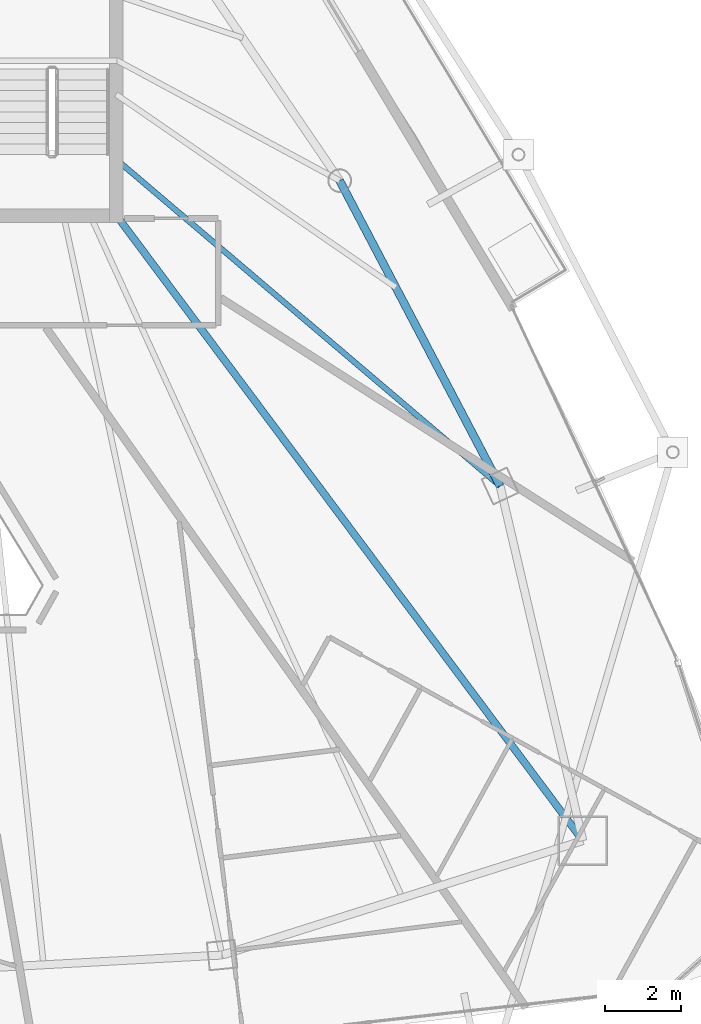
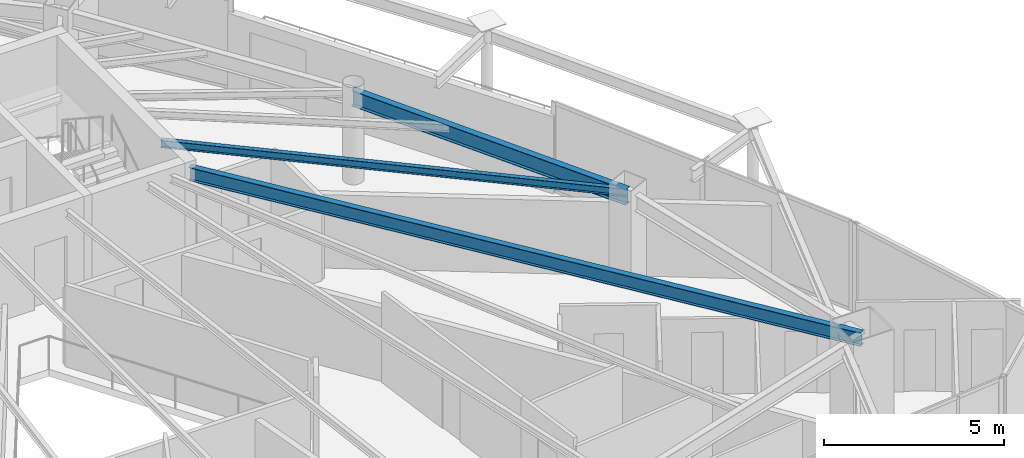
# One storey, part 19 of 33: 3 beams.
"""IFC4 building model written with IfcOpenShell, lengths in metres."""

from ifc_helpers import new_model, si_unit, direction, frame, origin, origin_2d, place, context, subcontext, project, spatial, i_section, extrude, material, material_profile, profile_set, type_object, element, save


model = new_model("IFC4")

# Units and contexts
model_context = context("Model", 3, precision=1e-05, world=origin(), true_north=direction((0.0, 1.0)))
body_context = subcontext(model_context, "Body", "Model", "MODEL_VIEW")
ifc_project = project(units=[si_unit("LENGTHUNIT", "METRE"), si_unit("AREAUNIT", "SQUARE_METRE"), si_unit("VOLUMEUNIT", "CUBIC_METRE"), si_unit("PLANEANGLEUNIT", "RADIAN"), si_unit("MASSUNIT", "GRAM", prefix="KILO")], contexts=[model_context])

# Site, building, storey
site_placement = place(None, origin())
site = spatial("IfcSite", under=ifc_project, at=site_placement, CompositionType="ELEMENT")
building_placement = place(site_placement, origin())
building = spatial("IfcBuilding", under=site, at=building_placement, Name="Orvanel Arch Residences", CompositionType="ELEMENT")
storey_placement = place(building_placement, frame((0.0, 0.0, 212.89990234375)))
storey = spatial("IfcBuildingStorey", under=building, at=storey_placement, Name="L60", CompositionType="ELEMENT", Elevation=212.89990234375)

# Beams
ifc_material = material(Name="Structural steel AS/NZS 3679.1 Grade 300 (300 MPa)", Category="steel")
ifc_material_profile_1 = material_profile(ifc_material, i_section(OverallWidth=0.19091796875, OverallDepth=0.4599609375, WebThickness=0.010009765625, FlangeThickness=0.01611328125, at=origin_2d()), Name="460UB82.1")
ifc_profile_set_1 = profile_set([ifc_material_profile_1], Name="Structural steel AS/NZS 3679.1 Grade 300 (300 MPa)")
beam_type_1 = type_object("IfcBeamType", Name="BG-460UB", PredefinedType="BEAM", material=ifc_profile_set_1)
beam_1_placement = place(storey_placement, frame((39.625, 26.675048828125, 2.830078125), z_axis=(0.597893733742, -0.801575375839, 0.0), x_axis=(0.801575375839, 0.597893733742, 0.0)))
element("IfcBeam", 1, at=beam_1_placement, inside=storey, type_object=beam_type_1, Name="L60 South-East Radial Girder", PredefinedType="BEAM", context=body_context, shape_type="SweptSolid", body=[
    extrude(i_section(OverallWidth=0.19091796875, OverallDepth=0.4599609375, WebThickness=0.010009765625, FlangeThickness=0.01611328125, at=origin_2d()), origin(), (0.0, 0.0, 1.0), 20.36474609375),
])
ifc_material_profile_2 = material_profile(ifc_material, i_section(OverallWidth=0.14599609375, OverallDepth=0.251953125, WebThickness=0.006103515625, FlangeThickness=0.008544921875, at=origin_2d()), Name="250UB31.4")
ifc_profile_set_2 = profile_set([ifc_material_profile_2], Name="Structural steel AS/NZS 3679.1 Grade 300 (300 MPa)")
beam_type_2 = type_object("IfcBeamType", Name="BJ-250UB", PredefinedType="JOIST", material=ifc_profile_set_2)
beam_2_placement = place(storey_placement, frame((39.574951171875, 28.199951171875, 2.93408203125), z_axis=(0.761622669031, -0.64802076357, 0.0), x_axis=(0.64802076357, 0.761622669031, 0.0)))
element("IfcBeam", 2, at=beam_2_placement, inside=storey, type_object=beam_type_2, Name="L60 E Wing Floor Joist", PredefinedType="JOIST", context=body_context, shape_type="SweptSolid", body=[
    extrude(i_section(OverallWidth=0.14599609375, OverallDepth=0.251953125, WebThickness=0.006103515625, FlangeThickness=0.008544921875, at=origin_2d()), origin(), (0.0, 0.0, 1.0), 13.2060546875),
])
ifc_material_profile_3 = material_profile(ifc_material, i_section(OverallWidth=0.208984375, OverallDepth=0.532958984375, WebThickness=0.01025390625, FlangeThickness=0.015625, at=origin_2d()), Name="530UB92.4")
ifc_profile_set_3 = profile_set([ifc_material_profile_3], Name="Structural steel AS/NZS 3679.1 Grade 300 (300 MPa)")
beam_type_3 = type_object("IfcBeamType", Name="SP-530UB", PredefinedType="SPANDREL", material=ifc_profile_set_3)
beam_3_placement = place(storey_placement, frame((49.633056640625, 19.64208984375, 2.794189453125), z_axis=(-0.465064762793, 0.885276660942, 0.0), x_axis=(-0.885276660942, -0.465064762793, 0.0)))
element("IfcBeam", 3, at=beam_3_placement, inside=storey, type_object=beam_type_3, Name="L60 Perimeter Spandrel Beam 07", PredefinedType="SPANDREL", context=body_context, shape_type="SweptSolid", body=[
    extrude(i_section(OverallWidth=0.208984375, OverallDepth=0.532958984375, WebThickness=0.01025390625, FlangeThickness=0.015625, at=origin_2d()), origin(), (0.0, 0.0, 1.0), 9.03564453125),
])

save(model, "model.ifc")
